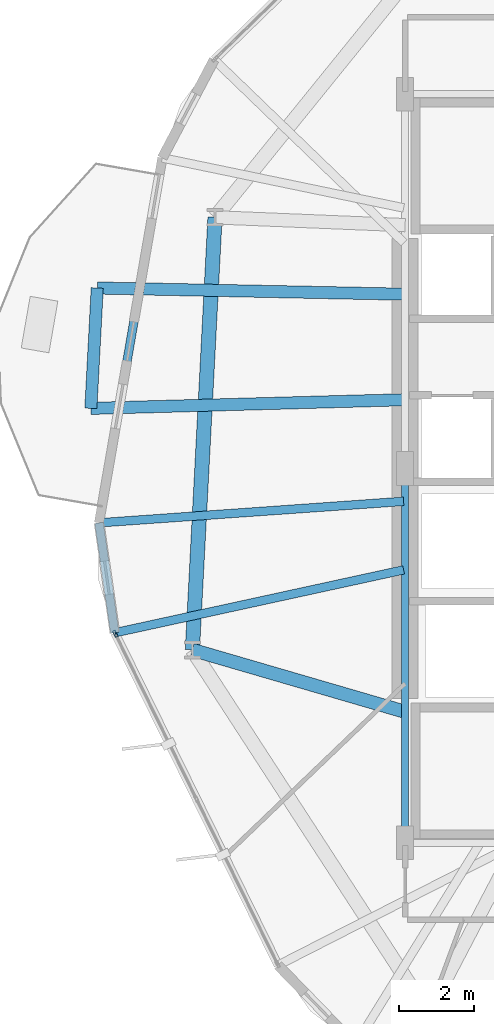
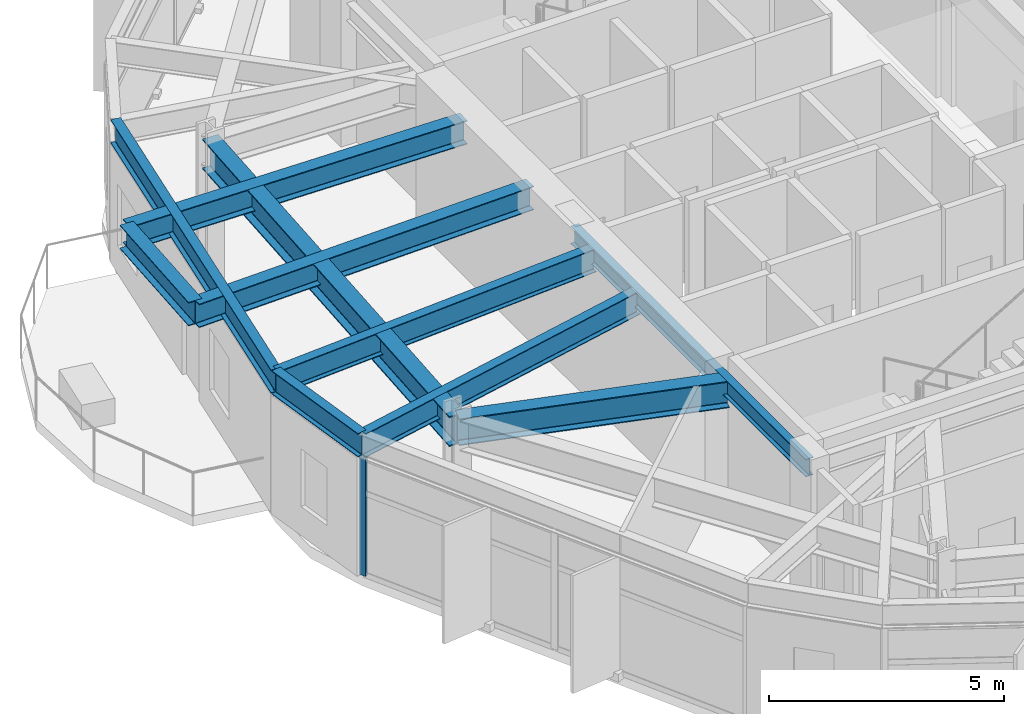
# One storey, part 6 of 22: 10 beams, 1 member, 1 element without a shape of its own.
"""IFC4 building model written with IfcOpenShell, lengths in metres."""

from ifc_helpers import new_model, si_unit, direction, frame, origin, origin_2d, place, context, subcontext, project, spatial, hollow_rectangle, i_section, extrude, material, layer, layer_set, material_profile, profile_set, type_object, element, aggregate, save


model = new_model("IFC4")

# Units and contexts
model_context = context("Model", 3, precision=1e-05, world=origin(), true_north=direction((0.0, 1.0)))
body_context = subcontext(model_context, "Body", "Model", "MODEL_VIEW")
ifc_project = project(units=[si_unit("LENGTHUNIT", "METRE"), si_unit("AREAUNIT", "SQUARE_METRE"), si_unit("VOLUMEUNIT", "CUBIC_METRE"), si_unit("PLANEANGLEUNIT", "RADIAN"), si_unit("MASSUNIT", "GRAM", prefix="KILO")], contexts=[model_context])

# Site, building, storey
site_placement = place(None, origin())
site = spatial("IfcSite", under=ifc_project, at=site_placement, CompositionType="ELEMENT")
building_placement = place(site_placement, origin())
building = spatial("IfcBuilding", under=site, at=building_placement, Name="Soratama Intermodal Tower", CompositionType="ELEMENT")
storey_placement = place(building_placement, frame((0.0, 0.0, 58.60009765625)))
storey = spatial("IfcBuildingStorey", under=building, at=storey_placement, Name="L13", CompositionType="ELEMENT", Elevation=58.60009765625)

# Beams
ifc_material_1 = material(Name="Structural steel ASTM A992 Grade 50", Category="steel")
ifc_material_profile_1 = material_profile(ifc_material_1, i_section(OverallWidth=0.324951171875, OverallDepth=0.615966796875, WebThickness=0.013916015625, FlangeThickness=0.021484375, FilletRadius=0.013916015625, at=origin_2d()), Name="W24X117")
ifc_profile_set_1 = profile_set([ifc_material_profile_1], Name="Structural steel ASTM A992 Grade 50")
beam_type_1 = type_object("IfcBeamType", Name="BM-CANT-W24X117", PredefinedType="BEAM", material=ifc_profile_set_1)
beam_1_placement = place(storey_placement, frame((24.376953125, 29.821044921875, 3.391845703125), z_axis=(-0.053064129251, -0.998591106603, 0.0), x_axis=(0.998591106603, -0.053064129251, 0.0)))
element("IfcBeam", 1, at=beam_1_placement, inside=storey, type_object=beam_type_1, Name="BM-L13-CBHDR-2", PredefinedType="BEAM", context=body_context, shape_type="SweptSolid", body=[
    extrude(i_section(OverallWidth=0.324951171875, OverallDepth=0.615966796875, WebThickness=0.013916015625, FlangeThickness=0.021484375, FilletRadius=0.013916015625, at=origin_2d()), origin(), (0.0, 0.0, 1.0), 3.220703125),
])
beam_2_placement = place(storey_placement, frame((32.56005859375, 29.656005859375, 3.391845703125), z_axis=(-0.999796682511, 0.020164167235, 0.0), x_axis=(-0.020164167235, -0.999796682511, 0.0)))
element("IfcBeam", 2, at=beam_2_placement, inside=storey, type_object=beam_type_1, Name="BM-L13-CANT-2-1", PredefinedType="BEAM", context=body_context, shape_type="SweptSolid", body=[
    extrude(i_section(OverallWidth=0.324951171875, OverallDepth=0.615966796875, WebThickness=0.013916015625, FlangeThickness=0.021484375, FilletRadius=0.013916015625, at=origin_2d()), origin(), (0.0, 0.0, 1.0), 8.184814453125),
])
beam_3_placement = place(storey_placement, frame((32.56005859375, 26.8359375, 3.391845703125), z_axis=(-0.999618060859, -0.027635708854, 0.0), x_axis=(0.027635708854, -0.999618060859, 0.0)))
element("IfcBeam", 3, at=beam_3_placement, inside=storey, type_object=beam_type_1, Name="BM-L13-CANT-2-2", PredefinedType="BEAM", context=body_context, shape_type="SweptSolid", body=[
    extrude(i_section(OverallWidth=0.324951171875, OverallDepth=0.615966796875, WebThickness=0.013916015625, FlangeThickness=0.021484375, FilletRadius=0.013916015625, at=origin_2d()), origin(), (0.0, 0.0, 1.0), 8.357177734375),
])
ifc_material_2 = material(Name="Structural steel ASTM A992 Grade 50", Category="steel")
ifc_material_profile_2 = material_profile(ifc_material_2, i_section(OverallWidth=0.19091796875, OverallDepth=0.4599609375, WebThickness=0.010009765625, FlangeThickness=0.01611328125, FilletRadius=0.010986328125, at=origin_2d()), Name="W18X55")
ifc_profile_set_2 = profile_set([ifc_material_profile_2], Name="Structural steel ASTM A992 Grade 50")
beam_type_2 = type_object("IfcBeamType", Name="BM-FLR-W18X55", PredefinedType="BEAM", material=ifc_profile_set_2)
beam_4_placement = place(storey_placement, frame((32.60009765625, 25.0, 3.469970703125), z_axis=(0.0, -1.0, 0.0), x_axis=(1.0, 0.0, 0.0)))
element("IfcBeam", 4, at=beam_4_placement, inside=storey, type_object=beam_type_2, Name="BM-L13-CRING-09", PredefinedType="BEAM", context=body_context, shape_type="SweptSolid", body=[
    extrude(i_section(OverallWidth=0.19091796875, OverallDepth=0.4599609375, WebThickness=0.010009765625, FlangeThickness=0.01611328125, FilletRadius=0.010986328125, at=origin_2d()), origin(), (0.0, 0.0, 1.0), 10.0),
])
ifc_material_3 = material(Name="Structural steel ASTM A992 Grade 50", Category="steel")
ifc_material_profile_3 = material_profile(ifc_material_3, i_section(OverallWidth=0.35498046875, OverallDepth=0.695068359375, WebThickness=0.015380859375, FlangeThickness=0.02490234375, FilletRadius=0.01611328125, at=origin_2d()), Name="W27X146")
ifc_profile_set_3 = profile_set([ifc_material_profile_3], Name="Structural steel ASTM A992 Grade 50")
beam_type_3 = type_object("IfcBeamType", Name="BM-RING-W27X146", PredefinedType="BEAM", material=ifc_profile_set_3)
beam_5_placement = place(storey_placement, frame((32.60009765625, 18.5, 3.352294921875), z_axis=(-0.960102504931, 0.279648314898, 0.0), x_axis=(-0.279648314898, -0.960102504931, 0.0)))
element("IfcBeam", 5, at=beam_5_placement, inside=storey, type_object=beam_type_3, Name="BM-L13-RAD-06", PredefinedType="BEAM", context=body_context, shape_type="SweptSolid", body=[
    extrude(i_section(OverallWidth=0.35498046875, OverallDepth=0.695068359375, WebThickness=0.015380859375, FlangeThickness=0.02490234375, FilletRadius=0.01611328125, at=origin_2d()), origin(), (0.0, 0.0, 1.0), 5.918212890625),
])
ifc_material_4 = material(Name="Structural steel ASTM A992 Grade 50", Category="steel")
ifc_material_profile_4 = material_profile(ifc_material_4, i_section(OverallWidth=0.382080078125, OverallDepth=0.779052734375, WebThickness=0.01806640625, FlangeThickness=0.030029296875, FilletRadius=0.01806640625, at=origin_2d()), Name="W30X191")
ifc_profile_set_4 = profile_set([ifc_material_profile_4], Name="Structural steel ASTM A992 Grade 50")
beam_type_4 = type_object("IfcBeamType", Name="BM-RING-W30X191", PredefinedType="BEAM", material=ifc_profile_set_4)
beam_6_placement = place(storey_placement, frame((27.52294921875, 31.708984375, 3.310302734375), z_axis=(-0.052289698717, -0.998631957935, 0.0), x_axis=(0.998631957935, -0.052289698717, 0.0)))
element("IfcBeam", 6, at=beam_6_placement, inside=storey, type_object=beam_type_4, Name="BM-L13-RING-05", PredefinedType="BEAM", context=body_context, shape_type="SweptSolid", body=[
    extrude(i_section(OverallWidth=0.382080078125, OverallDepth=0.779052734375, WebThickness=0.01806640625, FlangeThickness=0.030029296875, FilletRadius=0.01806640625, at=origin_2d()), origin(), (0.0, 0.0, 1.0), 11.56982421875),
])
ifc_material_5 = material(Name="Structural steel ASTM A992 Grade 50", Category="steel")
ifc_material_profile_5 = material_profile(ifc_material_5, i_section(OverallWidth=0.22900390625, OverallDepth=0.612060546875, WebThickness=0.011962890625, FlangeThickness=0.01953125, FilletRadius=0.012939453125, at=origin_2d()), Name="W24X84")
ifc_profile_set_5 = profile_set([ifc_material_profile_5], Name="Structural steel ASTM A992 Grade 50")
beam_type_5 = type_object("IfcBeamType", Name="BM-SPN-W24X84", PredefinedType="SPANDREL", material=ifc_profile_set_5)
beam_7_placement = place(storey_placement, frame((26.114013671875, 33.297119140625, 3.393798828125), z_axis=(-0.170797583075, -0.985306138018, 0.0), x_axis=(0.985306138018, -0.170797583075, 0.0)))
element("IfcBeam", 7, at=beam_7_placement, inside=storey, type_object=beam_type_5, Name="BS-L13-F05", PredefinedType="SPANDREL", context=body_context, shape_type="SweptSolid", body=[
    extrude(i_section(OverallWidth=0.22900390625, OverallDepth=0.612060546875, WebThickness=0.011962890625, FlangeThickness=0.01953125, FilletRadius=0.012939453125, at=origin_2d()), origin(), (0.0, 0.0, 1.0), 9.89453125),
])
beam_8_placement = place(storey_placement, frame((24.424072265625, 23.548095703125, 3.393798828125), z_axis=(0.141859097863, -0.98988686038, 0.0), x_axis=(0.98988686038, 0.141859097863, 0.0)))
element("IfcBeam", 8, at=beam_8_placement, inside=storey, type_object=beam_type_5, Name="BS-L13-CRN05", PredefinedType="SPANDREL", context=body_context, shape_type="SweptSolid", body=[
    extrude(i_section(OverallWidth=0.22900390625, OverallDepth=0.612060546875, WebThickness=0.011962890625, FlangeThickness=0.01953125, FilletRadius=0.012939453125, at=origin_2d()), origin(), (0.0, 0.0, 1.0), 2.967041015625),
])
ifc_material_6 = material(Name="Structural steel ASTM A992 Grade 50", Category="steel")
ifc_material_profile_6 = material_profile(ifc_material_6, i_section(OverallWidth=0.22900390625, OverallDepth=0.612060546875, WebThickness=0.011962890625, FlangeThickness=0.01953125, FilletRadius=0.012939453125, at=origin_2d()), Name="W24X84")
ifc_profile_set_6 = profile_set([ifc_material_profile_6], Name="Structural steel ASTM A992 Grade 50")
beam_type_6 = type_object("IfcBeamType", Name="BM-TIE-W24X84", PredefinedType="BEAM", material=ifc_profile_set_6)
beam_9_placement = place(storey_placement, frame((32.56005859375, 24.1220703125, 3.393798828125), z_axis=(-0.997520765938, -0.070372732805, 0.0), x_axis=(0.070372732805, -0.997520765938, 0.0)))
element("IfcBeam", 9, at=beam_9_placement, inside=storey, type_object=beam_type_6, Name="BM-L13-TIE1-05", PredefinedType="BEAM", context=body_context, shape_type="SweptSolid", body=[
    extrude(i_section(OverallWidth=0.22900390625, OverallDepth=0.612060546875, WebThickness=0.011962890625, FlangeThickness=0.01953125, FilletRadius=0.012939453125, at=origin_2d()), origin(), (0.0, 0.0, 1.0), 8.15625),
])
beam_10_placement = place(storey_placement, frame((32.56103515625, 22.2919921875, 3.393798828125), z_axis=(-0.977084195296, -0.212853177808, 0.0), x_axis=(0.212853177808, -0.977084195296, 0.0)))
element("IfcBeam", 10, at=beam_10_placement, inside=storey, type_object=beam_type_6, Name="BM-L13-TIE0-06", PredefinedType="BEAM", context=body_context, shape_type="SweptSolid", body=[
    extrude(i_section(OverallWidth=0.22900390625, OverallDepth=0.612060546875, WebThickness=0.011962890625, FlangeThickness=0.01953125, FilletRadius=0.012939453125, at=origin_2d()), origin(), (0.0, 0.0, 1.0), 7.89697265625),
])

# Curtain wall, member
ifc_material_7 = material(Name="Double-glazed aluminium curtain wall", Category="aluminium")
ifc_layer = layer(ifc_material_7, 0.159912109375)
ifc_layer_set = layer_set([ifc_layer], Name="Double-glazed aluminium curtain wall")
curtain_wall_type = type_object("IfcCurtainWallType", Name="CW-SYS-2", PredefinedType="NOTDEFINED", material=ifc_layer_set)
curtain_wall_placement = place(storey_placement, origin())
curtain_wall = element("IfcCurtainWall", 11, at=curtain_wall_placement, inside=storey, type_object=curtain_wall_type, Name="L13 Faceted Curtain Wall F06", PredefinedType="NOTDEFINED")
ifc_material_8 = material(Name="Anodised aluminium AA 6063-T6", Category="aluminium")
ifc_material_profile_7 = material_profile(ifc_material_8, hollow_rectangle(XDim=0.074951171875, YDim=0.179931640625, WallThickness=0.006103515625, InnerFilletRadius=0.006103515625, OuterFilletRadius=0.011962890625, at=origin_2d()), Name="CWM180X75X6")
ifc_profile_set_7 = profile_set([ifc_material_profile_7], Name="Anodised aluminium AA 6063-T6")
member_type = type_object("IfcMemberType", Name="MT-CWM-2", PredefinedType="MULLION", material=ifc_profile_set_7)
member_placement = place(storey_placement, frame((24.85791015625, 20.58447265625, 0.0), z_axis=(0.0, 0.0, 1.0), x_axis=(0.897568289772, 0.440875453156, 0.0)))
member = element("IfcMember", 12, at=member_placement, type_object=member_type, Name="CW-2 mullion 1", PredefinedType="MULLION", context=body_context, shape_type="SweptSolid", body=[
    extrude(hollow_rectangle(XDim=0.074951171875, YDim=0.179931640625, WallThickness=0.006103515625, InnerFilletRadius=0.006103515625, OuterFilletRadius=0.011962890625, at=origin_2d()), origin(), (0.0, 0.0, 1.0), 3.078857421875),
])
aggregate(curtain_wall, [member])

save(model, "model.ifc")
